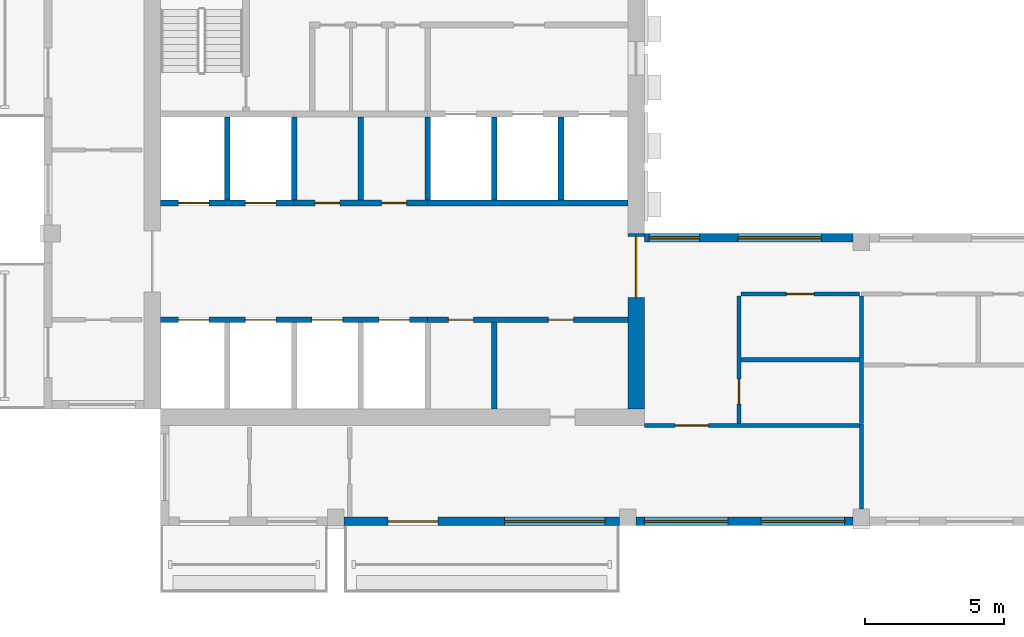
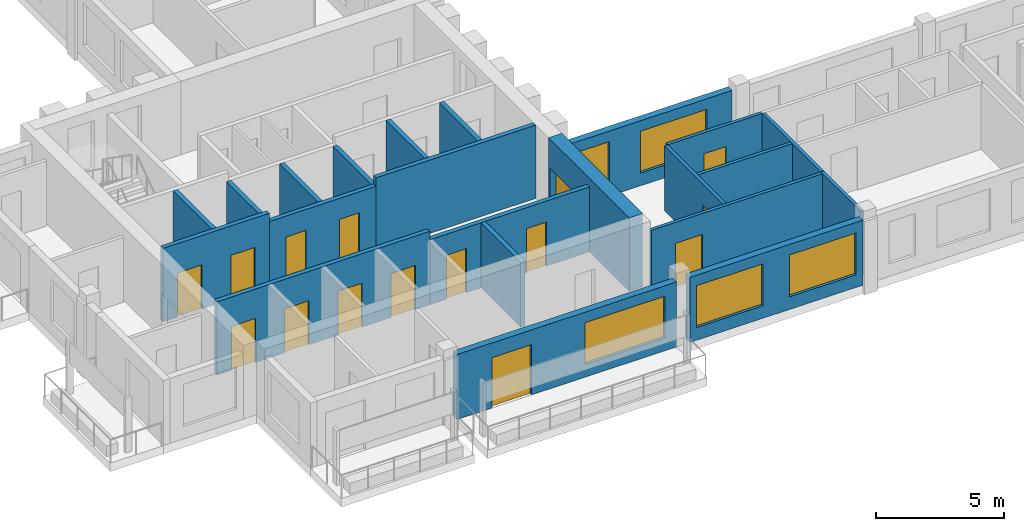
# One storey, part 2 of 10: 22 walls, 15 doors, 5 windows, 20 openings.
"""IFC4 building model written with IfcOpenShell, lengths in metres."""

from ifc_helpers import new_model, si_unit, direction, frame, frame_2d, origin, place, context, subcontext, project, spatial, rectangle, extrude, source, transform, mapped, material, layer, layer_set, type_object, element, fill, save


model = new_model("IFC4")

# Units and contexts
model_context = context("Model", 3, precision=1e-05, world=origin(), true_north=direction((0.0, 1.0)))
body_context = subcontext(model_context, "Body", "Model", "MODEL_VIEW")
ifc_project = project(units=[si_unit("LENGTHUNIT", "METRE"), si_unit("AREAUNIT", "SQUARE_METRE"), si_unit("VOLUMEUNIT", "CUBIC_METRE"), si_unit("PLANEANGLEUNIT", "RADIAN"), si_unit("MASSUNIT", "GRAM", prefix="KILO")], contexts=[model_context])

# Site, building, storey
site_placement = place(None, origin())
site = spatial("IfcSite", under=ifc_project, at=site_placement, CompositionType="ELEMENT")
building_placement = place(site_placement, origin())
building = spatial("IfcBuilding", under=site, at=building_placement, Name="Aurelian Terraces", CompositionType="ELEMENT")
storey_placement = place(building_placement, frame((0.0, 0.0, 354.5)))
storey = spatial("IfcBuildingStorey", under=building, at=storey_placement, Name="L84", CompositionType="ELEMENT", Elevation=354.5)

# Wall, opening, door
ifc_material_1 = material(Name="Gypsum board on steel studs", Category="steel")
ifc_layer_1 = layer(ifc_material_1, 0.15)
ifc_layer_set_1 = layer_set([ifc_layer_1], Name="Fire partition 150")
wall_type_1 = type_object("IfcWallType", Name="Fire partition 150", PredefinedType="PARTITIONING", material=ifc_layer_set_1)
wall_1_placement = place(storey_placement, frame((29.325, 8.325, 0.0), z_axis=(0.0, 0.0, 1.0), x_axis=(-1.0, 0.0, 0.0)))
wall_1 = element("IfcWall", 1, at=wall_1_placement, inside=storey, type_object=wall_type_1, Name="Corridor wall", PredefinedType="PARTITIONING", context=body_context, shape_type="SweptSolid", body=[
    extrude(rectangle(XDim=4.25, YDim=0.15, at=frame_2d((2.125, 0.0))), origin(), (0.0, 0.0, 1.0), 3.1),
])
shared_shape_1 = source(origin(), body_context, "Body", "SweptSolid", [
    extrude(rectangle(XDim=1.0, YDim=2.1, at=frame_2d((0.5, 1.05))), frame((0.0, 0.085, 0.0), z_axis=(0.0, -1.0, 0.0), x_axis=(1.0, 0.0, 0.0)), (0.0, 0.0, 1.0), 0.17),
])
opening_1_placement = place(wall_1_placement, frame((1.625, 0.0, 0.0)))
opening_1 = element("IfcOpeningElement", 2, at=opening_1_placement, cuts=wall_1, Name="Opening 784001", PredefinedType="OPENING", context=body_context, shape_type="MappedRepresentation", body=[
    mapped(shared_shape_1, transform((0.0, 0.0, 0.0), scale=1.0)),
])
ifc_material_2 = material(Name="Steel door leaf", Category="steel")
door_type_1 = type_object("IfcDoorType", Name="Entrance fire door 1000x2100 left", OperationType="SINGLE_SWING_LEFT", PredefinedType="DOOR", material=ifc_material_2)
shared_shape_2 = source(origin(), body_context, "Body", "SweptSolid", [
    extrude(rectangle(XDim=1.0, YDim=2.1, at=frame_2d((0.5, 1.05))), frame((0.0, 0.025, 0.0), z_axis=(0.0, -1.0, 0.0), x_axis=(1.0, 0.0, 0.0)), (0.0, 0.0, 1.0), 0.05),
])
door_1_placement = place(opening_1_placement, origin())
door_1 = element("IfcDoor", 3, at=door_1_placement, inside=storey, type_object=door_type_1, Name="Door 784001", OperationType="SINGLE_SWING_LEFT", OverallHeight=2.1, OverallWidth=1.0, PredefinedType="DOOR", context=body_context, shape_type="MappedRepresentation", body=[
    mapped(shared_shape_2, transform((0.0, 0.0, 0.0), scale=1.0)),
])
fill(opening_1, door_1)

ifc_material_3 = material(Name="Concrete fc' 55 MPa", Category="concrete")
ifc_layer_2 = layer(ifc_material_3, 0.6)
ifc_layer_set_2 = layer_set([ifc_layer_2], Name="CORE WALL 600 FC55")
wall_type_2 = type_object("IfcWallType", Name="CORE WALL 600 FC55", PredefinedType="SHEAR", material=ifc_layer_set_2)
shared_shape_3 = source(origin(), body_context, "Body", "SweptSolid", [
    extrude(rectangle(XDim=6.3, YDim=0.6, at=frame_2d((3.15, 0.0))), origin(), (0.0, 0.0, 1.0), 3.5),
])
wall_2_placement = place(storey_placement, frame((21.3, 4.2, 0.0), z_axis=(0.0, 0.0, 1.0), x_axis=(0.0, 1.0, 0.0)))
wall_2 = element("IfcWall", 4, at=wall_2_placement, inside=storey, type_object=wall_type_2, Name="Core wall E L84", PredefinedType="SHEAR", context=body_context, shape_type="MappedRepresentation", body=[
    mapped(shared_shape_3, transform((0.0, 0.0, 0.0), scale=1.0)),
])
shared_shape_4 = source(origin(), body_context, "Body", "SweptSolid", [
    extrude(rectangle(XDim=2.2, YDim=2.1, at=frame_2d((1.1, 1.05))), frame((0.0, 0.31, 0.0), z_axis=(0.0, -1.0, 0.0), x_axis=(1.0, 0.0, 0.0)), (0.0, 0.0, 1.0), 0.62),
])
opening_2_placement = place(wall_2_placement, frame((4.0, 0.0, 0.0)))
opening_2 = element("IfcOpeningElement", 5, at=opening_2_placement, cuts=wall_2, Name="Opening 68724", PredefinedType="OPENING", context=body_context, shape_type="MappedRepresentation", body=[
    mapped(shared_shape_4, transform((0.0, 0.0, 0.0), scale=1.0)),
])
door_type_2 = type_object("IfcDoorType", Name="Core double door 2200x2100", OperationType="DOUBLE_DOOR_SINGLE_SWING", PredefinedType="DOOR", material=ifc_material_2)
shared_shape_5 = source(origin(), body_context, "Body", "SweptSolid", [
    extrude(rectangle(XDim=2.2, YDim=2.1, at=frame_2d((1.1, 1.05))), frame((0.0, 0.025, 0.0), z_axis=(0.0, -1.0, 0.0), x_axis=(1.0, 0.0, 0.0)), (0.0, 0.0, 1.0), 0.05),
])
door_2_placement = place(opening_2_placement, origin())
door_2 = element("IfcDoor", 6, at=door_2_placement, inside=storey, type_object=door_type_2, Name="Core door 68724", OperationType="DOUBLE_DOOR_SINGLE_SWING", OverallHeight=2.1, OverallWidth=2.2, PredefinedType="DOOR", context=body_context, shape_type="MappedRepresentation", body=[
    mapped(shared_shape_5, transform((0.0, 0.0, 0.0), scale=1.0)),
])
fill(opening_2, door_2)

# Wall, openings, windows
ifc_material_4 = material(Name="Terracotta rainscreen cladding", Category="masonry")
ifc_layer_3 = layer(ifc_material_4, 0.3)
ifc_layer_set_3 = layer_set([ifc_layer_3], Name="EW-300")
wall_type_3 = type_object("IfcWallType", Name="EW-300", PredefinedType="STANDARD", material=ifc_layer_set_3)
shared_shape_6 = source(origin(), body_context, "Body", "SweptSolid", [
    extrude(rectangle(XDim=7.8, YDim=0.3, at=frame_2d((3.9, 0.0))), origin(), (0.0, 0.0, 1.0), 3.1),
])
wall_3_placement = place(storey_placement, frame((21.3, 0.15, 0.0), z_axis=(0.0, 0.0, 1.0), x_axis=(1.0, 0.0, 0.0)))
wall_3 = element("IfcWall", 7, at=wall_3_placement, inside=storey, type_object=wall_type_3, Name="External wall L84 F01.3", PredefinedType="STANDARD", context=body_context, shape_type="MappedRepresentation", body=[
    mapped(shared_shape_6, transform((0.0, 0.0, 0.0), scale=1.0)),
])
shared_shape_7 = source(origin(), body_context, "Body", "SweptSolid", [
    extrude(rectangle(XDim=3.0, YDim=2.0, at=frame_2d((1.5, 1.0))), frame((0.0, 0.16, 0.0), z_axis=(0.0, -1.0, 0.0), x_axis=(1.0, 0.0, 0.0)), (0.0, 0.0, 1.0), 0.32),
])
opening_3_placement = place(wall_3_placement, frame((0.3, 0.0, 0.6)))
opening_3 = element("IfcOpeningElement", 8, at=opening_3_placement, cuts=wall_3, Name="Opening W3020", PredefinedType="OPENING", context=body_context, shape_type="MappedRepresentation", body=[
    mapped(shared_shape_7, transform((0.0, 0.0, 0.0), scale=1.0)),
])
opening_4_placement = place(wall_3_placement, frame((4.5, 0.0, 0.6)))
opening_4 = element("IfcOpeningElement", 9, at=opening_4_placement, cuts=wall_3, Name="Opening W3020", PredefinedType="OPENING", context=body_context, shape_type="MappedRepresentation", body=[
    mapped(shared_shape_7, transform((0.0, 0.0, 0.0), scale=1.0)),
])
ifc_material_5 = material(Name="Clear glazing", Category="glass")
window_type_1 = type_object("IfcWindowType", Name="W-3000x2000", PartitioningType="SINGLE_PANEL", PredefinedType="WINDOW", material=ifc_material_5)
shared_shape_8 = source(origin(), body_context, "Body", "SweptSolid", [
    extrude(rectangle(XDim=3.0, YDim=2.0, at=frame_2d((1.5, 1.0))), frame((0.0, 0.03, 0.0), z_axis=(0.0, -1.0, 0.0), x_axis=(1.0, 0.0, 0.0)), (0.0, 0.0, 1.0), 0.06),
])
window_1_placement = place(opening_3_placement, origin())
window_1 = element("IfcWindow", 10, at=window_1_placement, inside=storey, type_object=window_type_1, Name="Window L84 L84-F01-03-0", OverallHeight=2.0, OverallWidth=3.0, PartitioningType="SINGLE_PANEL", PredefinedType="WINDOW", context=body_context, shape_type="MappedRepresentation", body=[
    mapped(shared_shape_8, transform((0.0, 0.0, 0.0), scale=1.0)),
])
fill(opening_3, window_1)
window_2_placement = place(opening_4_placement, origin())
window_2 = element("IfcWindow", 11, at=window_2_placement, inside=storey, type_object=window_type_1, Name="Window L84 L84-F01-03-1", OverallHeight=2.0, OverallWidth=3.0, PartitioningType="SINGLE_PANEL", PredefinedType="WINDOW", context=body_context, shape_type="MappedRepresentation", body=[
    mapped(shared_shape_8, transform((0.0, 0.0, 0.0), scale=1.0)),
])
fill(opening_4, window_2)

shared_shape_9 = source(origin(), body_context, "Body", "SweptSolid", [
    extrude(rectangle(XDim=7.5, YDim=0.3, at=frame_2d((3.75, 0.0))), origin(), (0.0, 0.0, 1.0), 3.1),
])
wall_4_placement = place(storey_placement, frame((29.1, 10.35, 0.0), z_axis=(0.0, 0.0, 1.0), x_axis=(-1.0, 0.0, 0.0)))
wall_4 = element("IfcWall", 12, at=wall_4_placement, inside=storey, type_object=wall_type_3, Name="External wall L84 F03.8", PredefinedType="STANDARD", context=body_context, shape_type="MappedRepresentation", body=[
    mapped(shared_shape_9, transform((0.0, 0.0, 0.0), scale=1.0)),
])
opening_5_placement = place(wall_4_placement, frame((1.14, 0.0, 0.6)))
opening_5 = element("IfcOpeningElement", 13, at=opening_5_placement, cuts=wall_4, Name="Opening W3020", PredefinedType="OPENING", context=body_context, shape_type="MappedRepresentation", body=[
    mapped(shared_shape_7, transform((0.0, 0.0, 0.0), scale=1.0)),
])
shared_shape_10 = source(origin(), body_context, "Body", "SweptSolid", [
    extrude(rectangle(XDim=1.8, YDim=2.0, at=frame_2d((0.9, 1.0))), frame((0.0, 0.16, 0.0), z_axis=(0.0, -1.0, 0.0), x_axis=(1.0, 0.0, 0.0)), (0.0, 0.0, 1.0), 0.32),
])
opening_6_placement = place(wall_4_placement, frame((5.52, 0.0, 0.6)))
opening_6 = element("IfcOpeningElement", 14, at=opening_6_placement, cuts=wall_4, Name="Opening W1820", PredefinedType="OPENING", context=body_context, shape_type="MappedRepresentation", body=[
    mapped(shared_shape_10, transform((0.0, 0.0, 0.0), scale=1.0)),
])
window_3_placement = place(opening_5_placement, origin())
window_3 = element("IfcWindow", 15, at=window_3_placement, inside=storey, type_object=window_type_1, Name="Window L84 L84-F03-08-5", OverallHeight=2.0, OverallWidth=3.0, PartitioningType="SINGLE_PANEL", PredefinedType="WINDOW", context=body_context, shape_type="MappedRepresentation", body=[
    mapped(shared_shape_8, transform((0.0, 0.0, 0.0), scale=1.0)),
])
fill(opening_5, window_3)
window_type_2 = type_object("IfcWindowType", Name="W-1800x2000", PartitioningType="SINGLE_PANEL", PredefinedType="WINDOW", material=ifc_material_5)
shared_shape_11 = source(origin(), body_context, "Body", "SweptSolid", [
    extrude(rectangle(XDim=1.8, YDim=2.0, at=frame_2d((0.9, 1.0))), frame((0.0, 0.03, 0.0), z_axis=(0.0, -1.0, 0.0), x_axis=(1.0, 0.0, 0.0)), (0.0, 0.0, 1.0), 0.06),
])
window_4_placement = place(opening_6_placement, origin())
window_4 = element("IfcWindow", 16, at=window_4_placement, inside=storey, type_object=window_type_2, Name="Window L84 L84-F03-08-6", OverallHeight=2.0, OverallWidth=1.8, PartitioningType="SINGLE_PANEL", PredefinedType="WINDOW", context=body_context, shape_type="MappedRepresentation", body=[
    mapped(shared_shape_11, transform((0.0, 0.0, 0.0), scale=1.0)),
])
fill(opening_6, window_4)

# Wall, openings, door, window
shared_shape_12 = source(origin(), body_context, "Body", "SweptSolid", [
    extrude(rectangle(XDim=9.9, YDim=0.3, at=frame_2d((4.95, 0.0))), origin(), (0.0, 0.0, 1.0), 3.1),
])
wall_5_placement = place(storey_placement, frame((10.8, 0.15, 0.0), z_axis=(0.0, 0.0, 1.0), x_axis=(1.0, 0.0, 0.0)))
wall_5 = element("IfcWall", 17, at=wall_5_placement, inside=storey, type_object=wall_type_3, Name="External wall L84 F01.2", PredefinedType="STANDARD", context=body_context, shape_type="MappedRepresentation", body=[
    mapped(shared_shape_12, transform((0.0, 0.0, 0.0), scale=1.0)),
])
shared_shape_13 = source(origin(), body_context, "Body", "SweptSolid", [
    extrude(rectangle(XDim=1.8, YDim=2.4, at=frame_2d((0.9, 1.2))), frame((0.0, 0.16, 0.0), z_axis=(0.0, -1.0, 0.0), x_axis=(1.0, 0.0, 0.0)), (0.0, 0.0, 1.0), 0.32),
])
opening_7_placement = place(wall_5_placement, frame((1.575, 0.0, 0.0)))
opening_7 = element("IfcOpeningElement", 18, at=opening_7_placement, cuts=wall_5, Name="Opening 88402", PredefinedType="OPENING", context=body_context, shape_type="MappedRepresentation", body=[
    mapped(shared_shape_13, transform((0.0, 0.0, 0.0), scale=1.0)),
])
shared_shape_14 = source(origin(), body_context, "Body", "SweptSolid", [
    extrude(rectangle(XDim=3.6, YDim=2.0, at=frame_2d((1.8, 1.0))), frame((0.0, 0.16, 0.0), z_axis=(0.0, -1.0, 0.0), x_axis=(1.0, 0.0, 0.0)), (0.0, 0.0, 1.0), 0.32),
])
opening_8_placement = place(wall_5_placement, frame((5.775, 0.0, 0.6)))
opening_8 = element("IfcOpeningElement", 19, at=opening_8_placement, cuts=wall_5, Name="Opening W3620", PredefinedType="OPENING", context=body_context, shape_type="MappedRepresentation", body=[
    mapped(shared_shape_14, transform((0.0, 0.0, 0.0), scale=1.0)),
])
door_type_3 = type_object("IfcDoorType", Name="BD-1800x2400", OperationType="SLIDING_TO_LEFT", PredefinedType="DOOR", material=ifc_material_5)
shared_shape_15 = source(origin(), body_context, "Body", "SweptSolid", [
    extrude(rectangle(XDim=1.8, YDim=2.4, at=frame_2d((0.9, 1.2))), frame((0.0, 0.025, 0.0), z_axis=(0.0, -1.0, 0.0), x_axis=(1.0, 0.0, 0.0)), (0.0, 0.0, 1.0), 0.05),
])
door_3_placement = place(opening_7_placement, origin())
door_3 = element("IfcDoor", 20, at=door_3_placement, inside=storey, type_object=door_type_3, Name="Balcony door L84 F01.2", OperationType="SLIDING_TO_LEFT", OverallHeight=2.4, OverallWidth=1.8, PredefinedType="DOOR", context=body_context, shape_type="MappedRepresentation", body=[
    mapped(shared_shape_15, transform((0.0, 0.0, 0.0), scale=1.0)),
])
fill(opening_7, door_3)
window_type_3 = type_object("IfcWindowType", Name="W-3600x2000", PartitioningType="SINGLE_PANEL", PredefinedType="WINDOW", material=ifc_material_5)
shared_shape_16 = source(origin(), body_context, "Body", "SweptSolid", [
    extrude(rectangle(XDim=3.6, YDim=2.0, at=frame_2d((1.8, 1.0))), frame((0.0, 0.03, 0.0), z_axis=(0.0, -1.0, 0.0), x_axis=(1.0, 0.0, 0.0)), (0.0, 0.0, 1.0), 0.06),
])
window_5_placement = place(opening_8_placement, origin())
window_5 = element("IfcWindow", 21, at=window_5_placement, inside=storey, type_object=window_type_3, Name="Window L84 L84-F01-02-1", OverallHeight=2.0, OverallWidth=3.6, PartitioningType="SINGLE_PANEL", PredefinedType="WINDOW", context=body_context, shape_type="MappedRepresentation", body=[
    mapped(shared_shape_16, transform((0.0, 0.0, 0.0), scale=1.0)),
])
fill(opening_8, window_5)

# Walls
ifc_material_6 = material(Name="Concrete fc' 40 MPa", Category="concrete")
ifc_layer_4 = layer(ifc_material_6, 0.2)
ifc_layer_set_4 = layer_set([ifc_layer_4], Name="Lift shaft wall 200")
wall_type_4 = type_object("IfcWallType", Name="Lift shaft wall 200", PredefinedType="SOLIDWALL", material=ifc_layer_set_4)
shared_shape_17 = source(origin(), body_context, "Body", "SweptSolid", [
    extrude(rectangle(XDim=3.0, YDim=0.2, at=frame_2d((1.5, 0.0))), origin(), (0.0, 0.0, 1.0), 3.1),
])
for number, where, z_axis, x_axis, name in (
    (22, (9.0, 11.7, 0.0), (0.0, 0.0, 1.0), (0.0, 1.0, 0.0), "L84 core wall CD-B2"),
    (23, (13.8, 11.7, 0.0), (0.0, 0.0, 1.0), (0.0, 1.0, 0.0), "L84 core wall CD-B4"),
):
    element("IfcWall", number, at=place(storey_placement, frame(where, z_axis=z_axis, x_axis=x_axis)), inside=storey, type_object=wall_type_4, Name=name, PredefinedType="SOLIDWALL", context=body_context, shape_type="MappedRepresentation", body=[
        mapped(shared_shape_17, transform((0.0, 0.0, 0.0), scale=1.0)),
    ])
shared_shape_18 = source(origin(), body_context, "Body", "SweptSolid", [
    extrude(rectangle(XDim=3.0, YDim=0.2, at=frame_2d((1.5, 0.0))), origin(), (0.0, 0.0, 1.0), 3.5),
])
for number, where, z_axis, x_axis, name in (
    (24, (6.6, 11.7, 0.0), (0.0, 0.0, 1.0), (0.0, 1.0, 0.0), "L84 core wall CD-B1"),
    (25, (16.2, 11.7, 0.0), (0.0, 0.0, 1.0), (0.0, 1.0, 0.0), "L84 core wall CD-B5"),
    (26, (18.6, 11.7, 0.0), (0.0, 0.0, 1.0), (0.0, 1.0, 0.0), "L84 core wall CD-B6"),
):
    element("IfcWall", number, at=place(storey_placement, frame(where, z_axis=z_axis, x_axis=x_axis)), inside=storey, type_object=wall_type_4, Name=name, PredefinedType="SOLIDWALL", context=body_context, shape_type="MappedRepresentation", body=[
        mapped(shared_shape_18, transform((0.0, 0.0, 0.0), scale=1.0)),
    ])

# Wall, openings, doors
shared_shape_19 = source(origin(), body_context, "Body", "SweptSolid", [
    extrude(rectangle(XDim=4.8, YDim=0.2, at=frame_2d((2.4, 0.0))), origin(), (0.0, 0.0, 1.0), 3.5),
])
wall_6_placement = place(storey_placement, frame((4.2, 11.6, 0.0), z_axis=(0.0, 0.0, 1.0), x_axis=(1.0, 0.0, 0.0)))
wall_6 = element("IfcWall", 27, at=wall_6_placement, inside=storey, type_object=wall_type_4, Name="L84 core wall CF-BF1", PredefinedType="SOLIDWALL", context=body_context, shape_type="MappedRepresentation", body=[
    mapped(shared_shape_19, transform((0.0, 0.0, 0.0), scale=1.0)),
])
shared_shape_20 = source(origin(), body_context, "Body", "SweptSolid", [
    extrude(rectangle(XDim=1.1, YDim=2.1, at=frame_2d((0.55, 1.05))), frame((0.0, 0.11, 0.0), z_axis=(0.0, -1.0, 0.0), x_axis=(1.0, 0.0, 0.0)), (0.0, 0.0, 1.0), 0.22),
])
opening_9_placement = place(wall_6_placement, frame((0.65, 0.0, 0.0)))
opening_9 = element("IfcOpeningElement", 28, at=opening_9_placement, cuts=wall_6, Name="Opening 68706", PredefinedType="OPENING", context=body_context, shape_type="MappedRepresentation", body=[
    mapped(shared_shape_20, transform((0.0, 0.0, 0.0), scale=1.0)),
])
opening_10_placement = place(wall_6_placement, frame((3.05, 0.0, 0.0)))
opening_10 = element("IfcOpeningElement", 29, at=opening_10_placement, cuts=wall_6, Name="Opening 68707", PredefinedType="OPENING", context=body_context, shape_type="MappedRepresentation", body=[
    mapped(shared_shape_20, transform((0.0, 0.0, 0.0), scale=1.0)),
])
ifc_material_7 = material(Name="Stainless steel", Category="steel")
door_type_4 = type_object("IfcDoorType", Name="Lift landing door 1100x2100", OperationType="SLIDING_TO_LEFT", PredefinedType="DOOR", material=ifc_material_7)
shared_shape_21 = source(origin(), body_context, "Body", "SweptSolid", [
    extrude(rectangle(XDim=1.1, YDim=2.1, at=frame_2d((0.55, 1.05))), frame((0.0, 0.025, 0.0), z_axis=(0.0, -1.0, 0.0), x_axis=(1.0, 0.0, 0.0)), (0.0, 0.0, 1.0), 0.05),
])
door_4_placement = place(opening_9_placement, origin())
door_4 = element("IfcDoor", 30, at=door_4_placement, inside=storey, type_object=door_type_4, Name="Lift landing door LH5 L84", OperationType="SLIDING_TO_LEFT", OverallHeight=2.1, OverallWidth=1.1, PredefinedType="DOOR", context=body_context, shape_type="MappedRepresentation", body=[
    mapped(shared_shape_21, transform((0.0, 0.0, 0.0), scale=1.0)),
])
fill(opening_9, door_4)
door_5_placement = place(opening_10_placement, origin())
door_5 = element("IfcDoor", 31, at=door_5_placement, inside=storey, type_object=door_type_4, Name="Lift landing door LH6 L84", OperationType="SLIDING_TO_LEFT", OverallHeight=2.1, OverallWidth=1.1, PredefinedType="DOOR", context=body_context, shape_type="MappedRepresentation", body=[
    mapped(shared_shape_21, transform((0.0, 0.0, 0.0), scale=1.0)),
])
fill(opening_10, door_5)

shared_shape_22 = source(origin(), body_context, "Body", "SweptSolid", [
    extrude(rectangle(XDim=4.8, YDim=0.2, at=frame_2d((2.4, 0.0))), origin(), (0.0, 0.0, 1.0), 3.1),
])
wall_7_placement = place(storey_placement, frame((9.0, 11.6, 0.0), z_axis=(0.0, 0.0, 1.0), x_axis=(1.0, 0.0, 0.0)))
wall_7 = element("IfcWall", 32, at=wall_7_placement, inside=storey, type_object=wall_type_4, Name="L84 core wall CF-BF2", PredefinedType="SOLIDWALL", context=body_context, shape_type="MappedRepresentation", body=[
    mapped(shared_shape_22, transform((0.0, 0.0, 0.0), scale=1.0)),
])
shared_shape_23 = source(origin(), body_context, "Body", "SweptSolid", [
    extrude(rectangle(XDim=0.9, YDim=2.1, at=frame_2d((0.45, 1.05))), frame((0.0, 0.11, 0.0), z_axis=(0.0, -1.0, 0.0), x_axis=(1.0, 0.0, 0.0)), (0.0, 0.0, 1.0), 0.22),
])
opening_11_placement = place(wall_7_placement, frame((0.75, 0.0, 0.0)))
opening_11 = element("IfcOpeningElement", 33, at=opening_11_placement, cuts=wall_7, Name="Opening 68708", PredefinedType="OPENING", context=body_context, shape_type="MappedRepresentation", body=[
    mapped(shared_shape_23, transform((0.0, 0.0, 0.0), scale=1.0)),
])
opening_12_placement = place(wall_7_placement, frame((3.15, 0.0, 0.0)))
opening_12 = element("IfcOpeningElement", 34, at=opening_12_placement, cuts=wall_7, Name="Opening 68709", PredefinedType="OPENING", context=body_context, shape_type="MappedRepresentation", body=[
    mapped(shared_shape_23, transform((0.0, 0.0, 0.0), scale=1.0)),
])
door_type_5 = type_object("IfcDoorType", Name="Core service door 900x2100 right", OperationType="SINGLE_SWING_RIGHT", PredefinedType="DOOR", material=ifc_material_2)
shared_shape_24 = source(origin(), body_context, "Body", "SweptSolid", [
    extrude(rectangle(XDim=0.9, YDim=2.1, at=frame_2d((0.45, 1.05))), frame((0.0, 0.025, 0.0), z_axis=(0.0, -1.0, 0.0), x_axis=(1.0, 0.0, 0.0)), (0.0, 0.0, 1.0), 0.05),
])
door_6_placement = place(opening_11_placement, origin())
door_6 = element("IfcDoor", 35, at=door_6_placement, inside=storey, type_object=door_type_5, Name="Room door 68708", OperationType="SINGLE_SWING_RIGHT", OverallHeight=2.1, OverallWidth=0.9, PredefinedType="DOOR", context=body_context, shape_type="MappedRepresentation", body=[
    mapped(shared_shape_24, transform((0.0, 0.0, 0.0), scale=1.0)),
])
fill(opening_11, door_6)
door_type_6 = type_object("IfcDoorType", Name="Core service door 900x2100", OperationType="SINGLE_SWING_LEFT", PredefinedType="DOOR", material=ifc_material_2)
door_7_placement = place(opening_12_placement, origin())
door_7 = element("IfcDoor", 36, at=door_7_placement, inside=storey, type_object=door_type_6, Name="Room door 68709", OperationType="SINGLE_SWING_LEFT", OverallHeight=2.1, OverallWidth=0.9, PredefinedType="DOOR", context=body_context, shape_type="MappedRepresentation", body=[
    mapped(shared_shape_24, transform((0.0, 0.0, 0.0), scale=1.0)),
])
fill(opening_12, door_7)

# Walls
shared_shape_25 = source(origin(), body_context, "Body", "SweptSolid", [
    extrude(rectangle(XDim=7.2, YDim=0.2, at=frame_2d((3.6, 0.0))), origin(), (0.0, 0.0, 1.0), 3.5),
])
wall_8_placement = place(storey_placement, frame((13.8, 11.6, 0.0), z_axis=(0.0, 0.0, 1.0), x_axis=(1.0, 0.0, 0.0)))
element("IfcWall", 37, at=wall_8_placement, inside=storey, type_object=wall_type_4, Name="L84 core wall CF-BF3", PredefinedType="SOLIDWALL", context=body_context, shape_type="MappedRepresentation", body=[
    mapped(shared_shape_25, transform((0.0, 0.0, 0.0), scale=1.0)),
])
ifc_layer_5 = layer(ifc_material_1, 0.2)
ifc_layer_set_5 = layer_set([ifc_layer_5], Name="Core partition 200")
wall_type_5 = type_object("IfcWallType", Name="Core partition 200", PredefinedType="PARTITIONING", material=ifc_layer_set_5)
shared_shape_26 = source(origin(), body_context, "Body", "SweptSolid", [
    extrude(rectangle(XDim=3.0, YDim=0.2, at=frame_2d((1.5, 0.0))), origin(), (0.0, 0.0, 1.0), 3.1),
])
wall_9_placement = place(storey_placement, frame((11.4, 11.7, 0.0), z_axis=(0.0, 0.0, 1.0), x_axis=(0.0, 1.0, 0.0)))
element("IfcWall", 38, at=wall_9_placement, inside=storey, type_object=wall_type_5, Name="L84 core wall CS-B3", PredefinedType="PARTITIONING", context=body_context, shape_type="MappedRepresentation", body=[
    mapped(shared_shape_26, transform((0.0, 0.0, 0.0), scale=1.0)),
])
shared_shape_27 = source(origin(), body_context, "Body", "SweptSolid", [
    extrude(rectangle(XDim=3.1, YDim=0.2, at=frame_2d((1.55, 0.0))), origin(), (0.0, 0.0, 1.0), 3.1),
])
wall_10_placement = place(storey_placement, frame((16.2, 4.2, 0.0), z_axis=(0.0, 0.0, 1.0), x_axis=(0.0, 1.0, 0.0)))
element("IfcWall", 39, at=wall_10_placement, inside=storey, type_object=wall_type_5, Name="L84 core wall CS-A5", PredefinedType="PARTITIONING", context=body_context, shape_type="MappedRepresentation", body=[
    mapped(shared_shape_27, transform((0.0, 0.0, 0.0), scale=1.0)),
])

# Wall, openings, doors
shared_shape_28 = source(origin(), body_context, "Body", "SweptSolid", [
    extrude(rectangle(XDim=9.6, YDim=0.2, at=frame_2d((4.8, 0.0))), origin(), (0.0, 0.0, 1.0), 3.5),
])
wall_11_placement = place(storey_placement, frame((4.2, 7.4, 0.0), z_axis=(0.0, 0.0, 1.0), x_axis=(1.0, 0.0, 0.0)))
wall_11 = element("IfcWall", 40, at=wall_11_placement, inside=storey, type_object=wall_type_4, Name="L84 core wall CF-AF1", PredefinedType="SOLIDWALL", context=body_context, shape_type="MappedRepresentation", body=[
    mapped(shared_shape_28, transform((0.0, 0.0, 0.0), scale=1.0)),
])
opening_13_placement = place(wall_11_placement, frame((0.65, 0.0, 0.0)))
opening_13 = element("IfcOpeningElement", 41, at=opening_13_placement, cuts=wall_11, Name="Opening 68700", PredefinedType="OPENING", context=body_context, shape_type="MappedRepresentation", body=[
    mapped(shared_shape_20, transform((0.0, 0.0, 0.0), scale=1.0)),
])
opening_14_placement = place(wall_11_placement, frame((3.05, 0.0, 0.0)))
opening_14 = element("IfcOpeningElement", 42, at=opening_14_placement, cuts=wall_11, Name="Opening 68701", PredefinedType="OPENING", context=body_context, shape_type="MappedRepresentation", body=[
    mapped(shared_shape_20, transform((0.0, 0.0, 0.0), scale=1.0)),
])
opening_15_placement = place(wall_11_placement, frame((5.45, 0.0, 0.0)))
opening_15 = element("IfcOpeningElement", 43, at=opening_15_placement, cuts=wall_11, Name="Opening 68702", PredefinedType="OPENING", context=body_context, shape_type="MappedRepresentation", body=[
    mapped(shared_shape_20, transform((0.0, 0.0, 0.0), scale=1.0)),
])
opening_16_placement = place(wall_11_placement, frame((7.85, 0.0, 0.0)))
opening_16 = element("IfcOpeningElement", 44, at=opening_16_placement, cuts=wall_11, Name="Opening 68703", PredefinedType="OPENING", context=body_context, shape_type="MappedRepresentation", body=[
    mapped(shared_shape_20, transform((0.0, 0.0, 0.0), scale=1.0)),
])
door_8_placement = place(opening_13_placement, origin())
door_8 = element("IfcDoor", 45, at=door_8_placement, inside=storey, type_object=door_type_4, Name="Lift landing door LH1 L84", OperationType="SLIDING_TO_LEFT", OverallHeight=2.1, OverallWidth=1.1, PredefinedType="DOOR", context=body_context, shape_type="MappedRepresentation", body=[
    mapped(shared_shape_21, transform((0.0, 0.0, 0.0), scale=1.0)),
])
fill(opening_13, door_8)
door_9_placement = place(opening_14_placement, origin())
door_9 = element("IfcDoor", 46, at=door_9_placement, inside=storey, type_object=door_type_4, Name="Lift landing door LH2 L84", OperationType="SLIDING_TO_LEFT", OverallHeight=2.1, OverallWidth=1.1, PredefinedType="DOOR", context=body_context, shape_type="MappedRepresentation", body=[
    mapped(shared_shape_21, transform((0.0, 0.0, 0.0), scale=1.0)),
])
fill(opening_14, door_9)
door_10_placement = place(opening_15_placement, origin())
door_10 = element("IfcDoor", 47, at=door_10_placement, inside=storey, type_object=door_type_4, Name="Lift landing door LH3 L84", OperationType="SLIDING_TO_LEFT", OverallHeight=2.1, OverallWidth=1.1, PredefinedType="DOOR", context=body_context, shape_type="MappedRepresentation", body=[
    mapped(shared_shape_21, transform((0.0, 0.0, 0.0), scale=1.0)),
])
fill(opening_15, door_10)
door_11_placement = place(opening_16_placement, origin())
door_11 = element("IfcDoor", 48, at=door_11_placement, inside=storey, type_object=door_type_4, Name="Lift landing door LH4 L84", OperationType="SLIDING_TO_LEFT", OverallHeight=2.1, OverallWidth=1.1, PredefinedType="DOOR", context=body_context, shape_type="MappedRepresentation", body=[
    mapped(shared_shape_21, transform((0.0, 0.0, 0.0), scale=1.0)),
])
fill(opening_16, door_11)

shared_shape_29 = source(origin(), body_context, "Body", "SweptSolid", [
    extrude(rectangle(XDim=7.2, YDim=0.2, at=frame_2d((3.6, 0.0))), origin(), (0.0, 0.0, 1.0), 3.1),
])
wall_12_placement = place(storey_placement, frame((13.8, 7.4, 0.0), z_axis=(0.0, 0.0, 1.0), x_axis=(1.0, 0.0, 0.0)))
wall_12 = element("IfcWall", 49, at=wall_12_placement, inside=storey, type_object=wall_type_4, Name="L84 core wall CF-AF2", PredefinedType="SOLIDWALL", context=body_context, shape_type="MappedRepresentation", body=[
    mapped(shared_shape_29, transform((0.0, 0.0, 0.0), scale=1.0)),
])
opening_17_placement = place(wall_12_placement, frame((0.75, 0.0, 0.0)))
opening_17 = element("IfcOpeningElement", 50, at=opening_17_placement, cuts=wall_12, Name="Opening 68704", PredefinedType="OPENING", context=body_context, shape_type="MappedRepresentation", body=[
    mapped(shared_shape_23, transform((0.0, 0.0, 0.0), scale=1.0)),
])
opening_18_placement = place(wall_12_placement, frame((4.35, 0.0, 0.0)))
opening_18 = element("IfcOpeningElement", 51, at=opening_18_placement, cuts=wall_12, Name="Opening 68705", PredefinedType="OPENING", context=body_context, shape_type="MappedRepresentation", body=[
    mapped(shared_shape_23, transform((0.0, 0.0, 0.0), scale=1.0)),
])
door_12_placement = place(opening_17_placement, origin())
door_12 = element("IfcDoor", 52, at=door_12_placement, inside=storey, type_object=door_type_5, Name="Room door 68704", OperationType="SINGLE_SWING_RIGHT", OverallHeight=2.1, OverallWidth=0.9, PredefinedType="DOOR", context=body_context, shape_type="MappedRepresentation", body=[
    mapped(shared_shape_24, transform((0.0, 0.0, 0.0), scale=1.0)),
])
fill(opening_17, door_12)
door_13_placement = place(opening_18_placement, origin())
door_13 = element("IfcDoor", 53, at=door_13_placement, inside=storey, type_object=door_type_6, Name="Room door 68705", OperationType="SINGLE_SWING_LEFT", OverallHeight=2.1, OverallWidth=0.9, PredefinedType="DOOR", context=body_context, shape_type="MappedRepresentation", body=[
    mapped(shared_shape_24, transform((0.0, 0.0, 0.0), scale=1.0)),
])
fill(opening_18, door_13)

# Wall, opening, door
ifc_layer_6 = layer(ifc_material_1, 0.15)
ifc_layer_set_6 = layer_set([ifc_layer_6], Name="Partition 150")
wall_type_6 = type_object("IfcWallType", Name="Partition 150", PredefinedType="PARTITIONING", material=ifc_layer_set_6)
shared_shape_30 = source(origin(), body_context, "Body", "SweptSolid", [
    extrude(rectangle(XDim=4.575, YDim=0.15, at=frame_2d((2.2875, 0.0))), origin(), (0.0, 0.0, 1.0), 3.1),
])
wall_13_placement = place(storey_placement, frame((25.0, 8.25, 0.0), z_axis=(0.0, 0.0, 1.0), x_axis=(0.0, -1.0, 0.0)))
wall_13 = element("IfcWall", 54, at=wall_13_placement, inside=storey, type_object=wall_type_6, Name="Partition", PredefinedType="PARTITIONING", context=body_context, shape_type="MappedRepresentation", body=[
    mapped(shared_shape_30, transform((0.0, 0.0, 0.0), scale=1.0)),
])
shared_shape_31 = source(origin(), body_context, "Body", "SweptSolid", [
    extrude(rectangle(XDim=0.9, YDim=2.1, at=frame_2d((0.45, 1.05))), frame((0.0, 0.085, 0.0), z_axis=(0.0, -1.0, 0.0), x_axis=(1.0, 0.0, 0.0)), (0.0, 0.0, 1.0), 0.17),
])
opening_19_placement = place(wall_13_placement, frame((2.981, 0.0, 0.0)))
opening_19 = element("IfcOpeningElement", 55, at=opening_19_placement, cuts=wall_13, Name="Opening 784002", PredefinedType="OPENING", context=body_context, shape_type="MappedRepresentation", body=[
    mapped(shared_shape_31, transform((0.0, 0.0, 0.0), scale=1.0)),
])
ifc_material_8 = material(Name="Timber door leaf", Category="wood")
door_type_7 = type_object("IfcDoorType", Name="Room door 900x2100 right", OperationType="SINGLE_SWING_RIGHT", PredefinedType="DOOR", material=ifc_material_8)
door_14_placement = place(opening_19_placement, origin())
door_14 = element("IfcDoor", 56, at=door_14_placement, inside=storey, type_object=door_type_7, Name="Door 784002", OperationType="SINGLE_SWING_RIGHT", OverallHeight=2.1, OverallWidth=0.9, PredefinedType="DOOR", context=body_context, shape_type="MappedRepresentation", body=[
    mapped(shared_shape_24, transform((0.0, 0.0, 0.0), scale=1.0)),
])
fill(opening_19, door_14)

# Wall
wall_14_placement = place(storey_placement, frame((29.4, 3.675, 0.0), z_axis=(0.0, 0.0, 1.0), x_axis=(0.0, 1.0, 0.0)))
element("IfcWall", 57, at=wall_14_placement, inside=storey, type_object=wall_type_6, Name="Partition", PredefinedType="PARTITIONING", context=body_context, shape_type="MappedRepresentation", body=[
    mapped(shared_shape_30, transform((0.0, 0.0, 0.0), scale=1.0)),
])

# Wall, opening, door
shared_shape_32 = source(origin(), body_context, "Body", "SweptSolid", [
    extrude(rectangle(XDim=7.725, YDim=0.15, at=frame_2d((3.8625, 0.0))), origin(), (0.0, 0.0, 1.0), 3.1),
])
wall_15_placement = place(storey_placement, frame((21.6, 3.6, 0.0), z_axis=(0.0, 0.0, 1.0), x_axis=(1.0, 0.0, 0.0)))
wall_15 = element("IfcWall", 58, at=wall_15_placement, inside=storey, type_object=wall_type_6, Name="Partition", PredefinedType="PARTITIONING", context=body_context, shape_type="MappedRepresentation", body=[
    mapped(shared_shape_32, transform((0.0, 0.0, 0.0), scale=1.0)),
])
shared_shape_33 = source(origin(), body_context, "Body", "SweptSolid", [
    extrude(rectangle(XDim=1.2, YDim=2.1, at=frame_2d((0.6, 1.05))), frame((0.0, 0.085, 0.0), z_axis=(0.0, -1.0, 0.0), x_axis=(1.0, 0.0, 0.0)), (0.0, 0.0, 1.0), 0.17),
])
opening_20_placement = place(wall_15_placement, frame((1.1, 0.0, 0.0)))
opening_20 = element("IfcOpeningElement", 59, at=opening_20_placement, cuts=wall_15, Name="Opening 784005", PredefinedType="OPENING", context=body_context, shape_type="MappedRepresentation", body=[
    mapped(shared_shape_33, transform((0.0, 0.0, 0.0), scale=1.0)),
])
door_type_8 = type_object("IfcDoorType", Name="Room door 1200x2100 right", OperationType="SINGLE_SWING_RIGHT", PredefinedType="DOOR", material=ifc_material_8)
shared_shape_34 = source(origin(), body_context, "Body", "SweptSolid", [
    extrude(rectangle(XDim=1.2, YDim=2.1, at=frame_2d((0.6, 1.05))), frame((0.0, 0.025, 0.0), z_axis=(0.0, -1.0, 0.0), x_axis=(1.0, 0.0, 0.0)), (0.0, 0.0, 1.0), 0.05),
])
door_15_placement = place(opening_20_placement, origin())
door_15 = element("IfcDoor", 60, at=door_15_placement, inside=storey, type_object=door_type_8, Name="Door 784005", OperationType="SINGLE_SWING_RIGHT", OverallHeight=2.1, OverallWidth=1.2, PredefinedType="DOOR", context=body_context, shape_type="MappedRepresentation", body=[
    mapped(shared_shape_34, transform((0.0, 0.0, 0.0), scale=1.0)),
])
fill(opening_20, door_15)

# Walls
shared_shape_35 = source(origin(), body_context, "Body", "SweptSolid", [
    extrude(rectangle(XDim=3.056, YDim=0.15, at=frame_2d((1.528, 0.0))), origin(), (0.0, 0.0, 1.0), 3.1),
])
wall_16_placement = place(storey_placement, frame((29.4, 0.599, 0.0), z_axis=(0.0, 0.0, 1.0), x_axis=(0.0, 1.0, 0.0)))
element("IfcWall", 61, at=wall_16_placement, inside=storey, type_object=wall_type_1, Name="Party wall", PredefinedType="PARTITIONING", context=body_context, shape_type="MappedRepresentation", body=[
    mapped(shared_shape_35, transform((0.0, 0.0, 0.0), scale=1.0)),
])
shared_shape_36 = source(origin(), body_context, "Body", "SweptSolid", [
    extrude(rectangle(XDim=4.25, YDim=0.15, at=frame_2d((2.125, 0.0))), origin(), (0.0, 0.0, 1.0), 3.1),
])
wall_17_placement = place(storey_placement, frame((29.325, 5.963, 0.0), z_axis=(0.0, 0.0, 1.0), x_axis=(-1.0, 0.0, 0.0)))
element("IfcWall", 62, at=wall_17_placement, inside=storey, type_object=wall_type_6, Name="Partition", PredefinedType="PARTITIONING", context=body_context, shape_type="MappedRepresentation", body=[
    mapped(shared_shape_36, transform((0.0, 0.0, 0.0), scale=1.0)),
])

save(model, "model.ifc")
